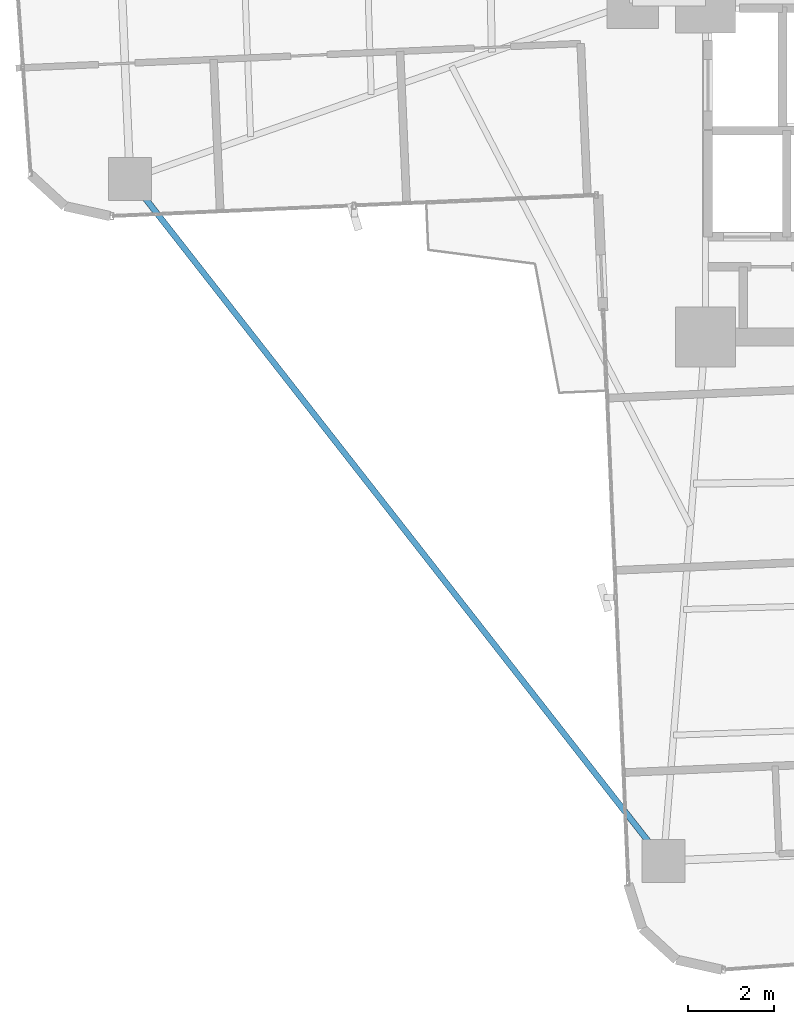
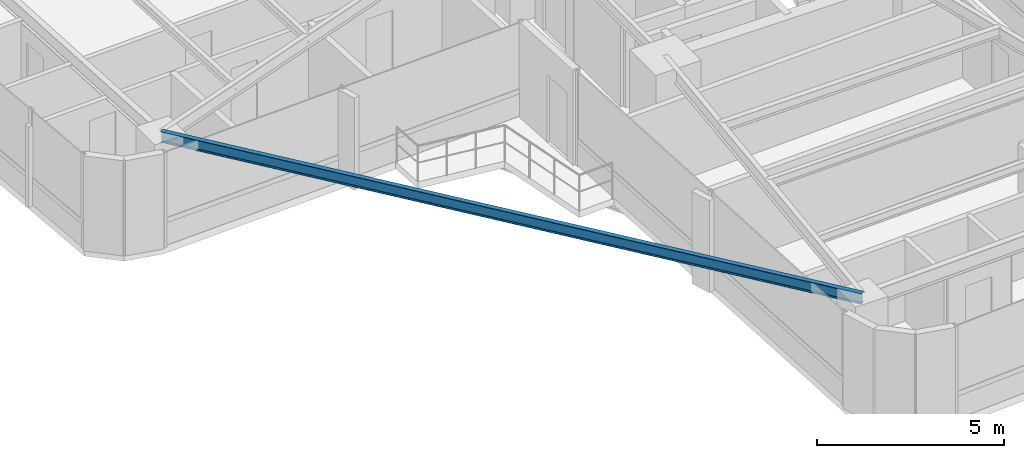
# One storey, part 3 of 26: 1 beam.
"""IFC4 building model written with IfcOpenShell, lengths in metres."""

from ifc_helpers import new_model, si_unit, direction, frame, origin, origin_2d, place, context, subcontext, project, spatial, i_section, extrude, source, transform, mapped, material, material_profile, profile_set, type_object, element, save


model = new_model("IFC4")

# Units and contexts
model_context = context("Model", 3, precision=1e-05, world=origin(), true_north=direction((0.0, 1.0)))
body_context = subcontext(model_context, "Body", "Model", "MODEL_VIEW")
ifc_project = project(units=[si_unit("LENGTHUNIT", "METRE"), si_unit("AREAUNIT", "SQUARE_METRE"), si_unit("VOLUMEUNIT", "CUBIC_METRE"), si_unit("PLANEANGLEUNIT", "RADIAN"), si_unit("MASSUNIT", "GRAM", prefix="KILO")], contexts=[model_context])

# Site, building, storey
site_placement = place(None, origin())
site = spatial("IfcSite", under=ifc_project, at=site_placement, CompositionType="ELEMENT")
building_placement = place(site_placement, origin())
building = spatial("IfcBuilding", under=site, at=building_placement, Name="Sahyath Konkavel Grand Hotel", CompositionType="ELEMENT")
storey_placement = place(building_placement, frame((0.0, 0.0, 114.800048828125)))
storey = spatial("IfcBuildingStorey", under=building, at=storey_placement, Name="L31", CompositionType="ELEMENT", Elevation=114.800048828125)

# Beam
ifc_material = material(Name="Steel E350", Category="steel")
ifc_material_profile = material_profile(ifc_material, i_section(OverallWidth=0.139892578125, OverallDepth=0.35009765625, WebThickness=0.008056640625, FlangeThickness=0.01416015625, FilletRadius=0.013916015625, at=origin_2d()), Name="ISMB 350")
ifc_profile_set = profile_set([ifc_material_profile], Name="Steel E350")
beam_type = type_object("IfcBeamType", Name="BM-ISMB350", PredefinedType="BEAM", material=ifc_profile_set)
shared_shape = source(origin(), body_context, "Body", "SweptSolid", [
    extrude(i_section(OverallWidth=0.139892578125, OverallDepth=0.35009765625, WebThickness=0.008056640625, FlangeThickness=0.01416015625, FilletRadius=0.013916015625, at=origin_2d()), origin(), (0.0, 0.0, 1.0), 20.215576171875),
])
beam_placement = place(storey_placement, frame((-17.232421875, -6.5078125, 2.93505859375), z_axis=(0.616176369687, -0.787608203004, 0.0), x_axis=(0.787608203004, 0.616176369687, 0.0)))
element("IfcBeam", 1, at=beam_placement, inside=storey, type_object=beam_type, Name="L31 Re-Entrant Tie Beam SW", PredefinedType="BEAM", context=body_context, shape_type="MappedRepresentation", body=[
    mapped(shared_shape, transform((0.0, 0.0, 0.0), scale=1.0)),
])

save(model, "model.ifc")
